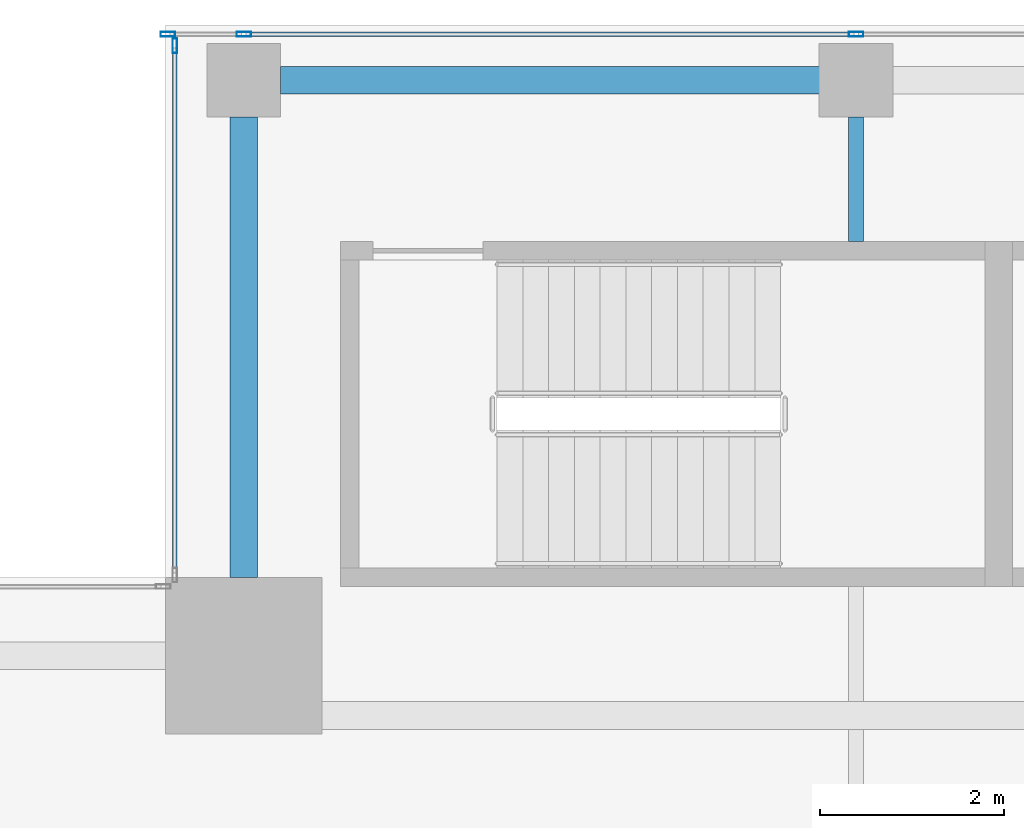
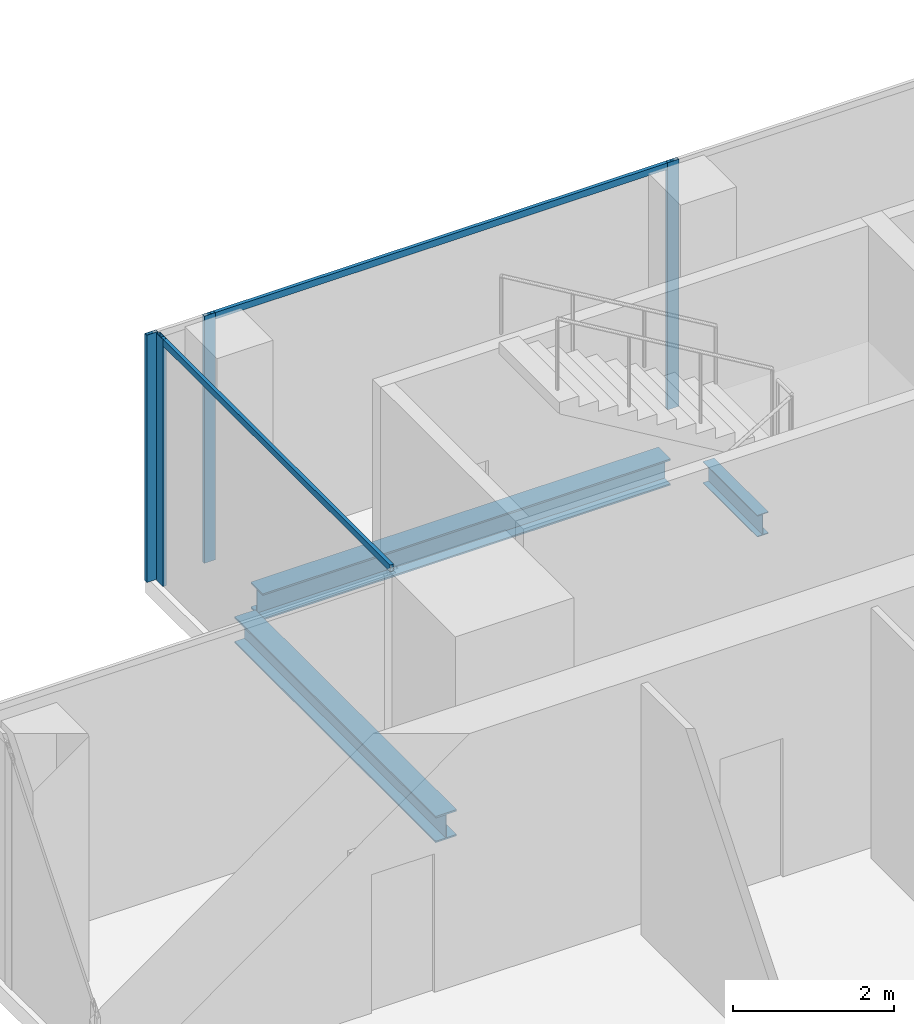
# One storey, part 12 of 28: 6 members, 3 beams, 2 elements without a shape of their own.
"""IFC4 building model written with IfcOpenShell, lengths in metres."""

import ifcopenshell
import ifcopenshell.guid

model = None  # the IFC model being written
_history = None  # IfcOwnerHistory: only IFC2X3 demands one
_inside = {}  # id of a spatial element -> (the spatial element, [elements in it])
_under = {}  # id of a project, library or spatial element -> (it, [spatial elements below it])
_declared = {}  # id of a project -> (the project, [libraries it declares])
_typed = {}  # id of a type object -> (the type object, [elements of that type])
_made_of = {}  # id of a material, layer set ... -> (it, [elements and type objects made of it])


def new_model(schema):
    """Start an empty IFC model of exactly this schema.

    Asked for "IFC4X3", IfcOpenShell would pick the latest addendum, in which some entities
    have other attributes; the version numbers below select the first issue.
    IFC2X3 requires an IfcOwnerHistory on every rooted entity: one is made here for all.
    """
    global model, _history
    if schema == "IFC4X3":
        model = ifcopenshell.file(schema_version=(4, 3, 0, 0))
    else:
        model = ifcopenshell.file(schema=schema)
    _inside.clear()
    _under.clear()
    _declared.clear()
    _typed.clear()
    _made_of.clear()
    _history = None
    if model.schema == "IFC2X3":
        org = make("IfcOrganization", Name="unknown")
        user = make(
            "IfcPersonAndOrganization",
            ThePerson=make("IfcPerson", FamilyName="unknown"),
            TheOrganization=org,
        )
        app = make(
            "IfcApplication",
            ApplicationDeveloper=org,
            Version="unknown",
            ApplicationFullName="unknown",
            ApplicationIdentifier="unknown",
        )
        _history = make(
            "IfcOwnerHistory",
            OwningUser=user,
            OwningApplication=app,
            ChangeAction="ADDED",
            CreationDate=0,
        )
    return model


def make(cls, **values):
    """One entity of the class cls with the attributes given. An attribute that is None is left unset."""
    return model.create_entity(
        cls, **{name: value for name, value in values.items() if value is not None}
    )


def rooted(cls, **values):
    """An entity with a GlobalId (a new one), such as an element, a storey or a relation."""
    return make(cls, GlobalId=ifcopenshell.guid.new(), OwnerHistory=_history, **values)


def si_unit(unit_type, name, prefix=None):
    """IfcSIUnit, for example si_unit("LENGTHUNIT", "METRE", prefix="MILLI")."""
    return make("IfcSIUnit", UnitType=unit_type, Prefix=prefix, Name=name)


def assignment(units):
    """IfcUnitAssignment: the units of a project."""
    return None if units is None else make("IfcUnitAssignment", Units=units)


def point(xyz):
    """IfcCartesianPoint."""
    return None if xyz is None else make("IfcCartesianPoint", Coordinates=xyz)


def direction(xyz):
    """IfcDirection."""
    return None if xyz is None else make("IfcDirection", DirectionRatios=xyz)


def frame(location, z_axis=None, x_axis=None):
    """IfcAxis2Placement3D, a coordinate frame: its origin and axes. An axis left out is left unset."""
    return make(
        "IfcAxis2Placement3D",
        Location=point(location),
        Axis=direction(z_axis),
        RefDirection=direction(x_axis),
    )


def frame_2d(location, x_axis=None):
    """IfcAxis2Placement2D, a coordinate frame in the plane: its origin and x axis."""
    return make(
        "IfcAxis2Placement2D", Location=point(location), RefDirection=direction(x_axis)
    )


def origin():
    """The frame at (0, 0, 0) with its axes left unset."""
    return frame((0.0, 0.0, 0.0))


def origin_2d():
    """The frame at (0, 0) in the plane with its x axis left unset."""
    return frame_2d((0.0, 0.0))


def place(relative_to, where):
    """IfcLocalPlacement: puts the frame where relative to a parent placement (None: the world)."""
    return make(
        "IfcLocalPlacement", PlacementRelTo=relative_to, RelativePlacement=where
    )


def context(
    kind, dimensions, precision=None, world=None, true_north=None, identifier=None
):
    """IfcGeometricRepresentationContext, for example the 3D "Model" context."""
    return make(
        "IfcGeometricRepresentationContext",
        ContextIdentifier=identifier,
        ContextType=kind,
        CoordinateSpaceDimension=dimensions,
        Precision=precision,
        WorldCoordinateSystem=world,
        TrueNorth=true_north,
    )


def subcontext(parent, identifier, kind, view, scale=None):
    """IfcGeometricRepresentationSubContext, for example "Body" below "Model"."""
    return make(
        "IfcGeometricRepresentationSubContext",
        ContextIdentifier=identifier,
        ContextType=kind,
        ParentContext=parent,
        TargetScale=scale,
        TargetView=view,
    )


def project(units=None, contexts=None):
    """IfcProject with its units and contexts."""
    return rooted(
        "IfcProject",
        Name="project",
        RepresentationContexts=contexts,
        UnitsInContext=assignment(units),
    )


def spatial(cls, under=None, at=None, **own):
    """A site, building, storey or space (cls), placed at a placement, below another one or the project."""
    s = rooted(cls, ObjectPlacement=at, **own)
    if under is not None:
        _under.setdefault(under.id(), (under, []))[1].append(s)
    return s


def profile(cls, at=None, kind="AREA", **sizes):
    """A parametric profile (cls). Its sizes go by their IFC names, for example OverallWidth=200.0."""
    return make(cls, ProfileType=kind, Position=at, **sizes)


def hollow_rectangle(**sizes):
    """IfcRectangleHollowProfileDef."""
    return profile("IfcRectangleHollowProfileDef", **sizes)


def i_section(**sizes):
    """IfcIShapeProfileDef."""
    return profile("IfcIShapeProfileDef", **sizes)


def extrude(swept, where, along, depth):
    """IfcExtrudedAreaSolid: the profile swept, set in the frame where, extruded along a direction by depth."""
    return make(
        "IfcExtrudedAreaSolid",
        SweptArea=swept,
        Position=where,
        ExtrudedDirection=direction(along),
        Depth=depth,
    )


def shape(context_of_items, identifier, shape_type, items):
    """IfcShapeRepresentation: the items that make up one representation, for example the "Body"."""
    return make(
        "IfcShapeRepresentation",
        ContextOfItems=context_of_items,
        RepresentationIdentifier=identifier,
        RepresentationType=shape_type,
        Items=items,
    )


def source(mapping_origin, context_of_items, identifier, shape_type, items):
    """IfcRepresentationMap: a shape defined once, which mapped items show again and again."""
    return make(
        "IfcRepresentationMap",
        MappingOrigin=mapping_origin,
        MappedRepresentation=shape(context_of_items, identifier, shape_type, items),
    )


def transform(
    local_origin,
    x_axis=None,
    y_axis=None,
    z_axis=None,
    scale=None,
    scale2=None,
    scale3=None,
    uniform=True,
):
    """IfcCartesianTransformationOperator3D, or its non-uniform kind. x_axis, y_axis, z_axis: its Axis1, 2, 3."""
    if uniform:
        return make(
            "IfcCartesianTransformationOperator3D",
            Axis1=direction(x_axis),
            Axis2=direction(y_axis),
            LocalOrigin=point(local_origin),
            Scale=scale,
            Axis3=direction(z_axis),
        )
    return make(
        "IfcCartesianTransformationOperator3DnonUniform",
        Axis1=direction(x_axis),
        Axis2=direction(y_axis),
        LocalOrigin=point(local_origin),
        Scale=scale,
        Axis3=direction(z_axis),
        Scale2=scale2,
        Scale3=scale3,
    )


def mapped(mapping_source, mapping_target):
    """IfcMappedItem: shows the shape of a source again, moved by a transform."""
    return make(
        "IfcMappedItem", MappingSource=mapping_source, MappingTarget=mapping_target
    )


def material(Name=None, Category=None):
    """IfcMaterial."""
    return make("IfcMaterial", Name=Name, Category=Category)


def material_profile(
    of_material, cross_section, Name=None, Category=None, Priority=None
):
    """IfcMaterialProfile: a cross section and its material."""
    return make(
        "IfcMaterialProfile",
        Name=Name,
        Material=of_material,
        Profile=cross_section,
        Priority=Priority,
        Category=Category,
    )


def profile_set(profiles, Name=None, composite=None):
    """IfcMaterialProfileSet."""
    return make(
        "IfcMaterialProfileSet",
        Name=Name,
        MaterialProfiles=profiles,
        CompositeProfile=composite,
    )


def made_of(thing, what):
    """Note that an element or type object is made of a material, layer set ...; save() writes the relation."""
    if what is not None:
        _made_of.setdefault(what.id(), (what, []))[1].append(thing)
    return thing


def type_object(cls, material=None, **own):
    """A type object (cls), such as IfcWallType, which elements share."""
    return made_of(rooted(cls, **own), material)


def element(
    cls,
    number,
    at=None,
    inside=None,
    cuts=None,
    type_object=None,
    material=None,
    context=None,
    identifier="Body",
    shape_type=None,
    held_by="IfcProductDefinitionShape",
    body=None,
    shapes=None,
    **own,
):
    """One element of the class cls, such as IfcWall. Its Tag is "e" and its number.

    at: its placement. inside: the storey or other place that contains it. cuts: it is an
    opening in that element (IfcRelVoidsElement). A single representation is given by context,
    identifier, shape_type and body (its items); several are given by shapes. held_by: the class
    of the entity that holds the representations. save() writes the other relations.
    """
    e = rooted(cls, Tag="e%d" % number, ObjectPlacement=at, **own)
    if body is not None:
        shapes = [shape(context, identifier, shape_type, body)]
    if shapes is not None:
        e.Representation = make(held_by, Representations=shapes)
    if inside is not None:
        _inside.setdefault(inside.id(), (inside, []))[1].append(e)
    if cuts is not None:
        rooted(
            "IfcRelVoidsElement", RelatingBuildingElement=cuts, RelatedOpeningElement=e
        )
    if type_object is not None:
        _typed.setdefault(type_object.id(), (type_object, []))[1].append(e)
    return made_of(e, material)


def aggregate(whole, parts):
    """IfcRelAggregates: a whole, such as a stair, and the parts it consists of."""
    return rooted("IfcRelAggregates", RelatingObject=whole, RelatedObjects=parts)


def save(model, path):
    """Write the relations noted so far, then the file.

    IfcRelAggregates (storeys below a building ...), IfcRelContainedInSpatialStructure (elements
    in a storey), IfcRelDefinesByType, IfcRelAssociatesMaterial and IfcRelDeclares: one each for
    every whole, place, type object, material and project.
    """
    for whole, parts in _under.values():
        aggregate(whole, parts)
    for where, things in _inside.values():
        rooted(
            "IfcRelContainedInSpatialStructure",
            RelatedElements=things,
            RelatingStructure=where,
        )
    for kind, things in _typed.values():
        rooted("IfcRelDefinesByType", RelatedObjects=things, RelatingType=kind)
    for what, things in _made_of.values():
        rooted("IfcRelAssociatesMaterial", RelatedObjects=things, RelatingMaterial=what)
    for by, libraries in _declared.values():
        rooted("IfcRelDeclares", RelatingContext=by, RelatedDefinitions=libraries)
    model.write(path)


model = new_model("IFC4")

# Units and contexts
model_context = context("Model", 3, precision=1e-05, world=origin(), true_north=direction((0.0, 1.0)))
body_context = subcontext(model_context, "Body", "Model", "MODEL_VIEW")
ifc_project = project(units=[si_unit("LENGTHUNIT", "METRE"), si_unit("AREAUNIT", "SQUARE_METRE"), si_unit("VOLUMEUNIT", "CUBIC_METRE"), si_unit("PLANEANGLEUNIT", "RADIAN"), si_unit("MASSUNIT", "GRAM", prefix="KILO")], contexts=[model_context])

# Site, building, storey
site_placement = place(None, origin())
site = spatial("IfcSite", under=ifc_project, at=site_placement, CompositionType="ELEMENT")
building_placement = place(site_placement, origin())
building = spatial("IfcBuilding", under=site, at=building_placement, Name="Khomas Fold Tower", CompositionType="ELEMENT")
storey_placement = place(building_placement, frame((0.0, 0.0, 298.199951171875)))
storey = spatial("IfcBuildingStorey", under=building, at=storey_placement, Name="L67", CompositionType="ELEMENT", Elevation=298.199951171875)

# Beams
ifc_material_1 = material(Name="Steel S355", Category="steel")
ifc_material_profile_1 = material_profile(ifc_material_1, i_section(OverallWidth=0.159912109375, OverallDepth=0.330078125, WebThickness=0.007568359375, FlangeThickness=0.011474609375, at=origin_2d()), Name="IPE 330")
ifc_profile_set_1 = profile_set([ifc_material_profile_1], Name="Steel S355")
beam_type_1 = type_object("IfcBeamType", Name="IPE 330 beam JB1", PredefinedType="BEAM", material=ifc_profile_set_1)
shared_shape_1 = source(origin(), body_context, "Body", "SweptSolid", [
    extrude(i_section(OverallWidth=0.159912109375, OverallDepth=0.330078125, WebThickness=0.007568359375, FlangeThickness=0.011474609375, at=origin_2d()), origin(), (0.0, 0.0, 1.0), 1.35009765625),
])
beam_1_placement = place(storey_placement, frame((19.5, 45.64990234375, -0.4150390625), z_axis=(0.0, 1.0, 0.0), x_axis=(-1.0, 0.0, 0.0)))
element("IfcBeam", 1, at=beam_1_placement, inside=storey, type_object=beam_type_1, Name="JB1", PredefinedType="BEAM", context=body_context, shape_type="MappedRepresentation", body=[
    mapped(shared_shape_1, transform((0.0, 0.0, 0.0))),
])
ifc_material_2 = material(Name="Steel S355", Category="steel")
ifc_material_profile_2 = material_profile(ifc_material_2, i_section(OverallWidth=0.300048828125, OverallDepth=0.39990234375, WebThickness=0.013427734375, FlangeThickness=0.02392578125, at=origin_2d()), Name="HE 400 B")
ifc_profile_set_2 = profile_set([ifc_material_profile_2], Name="Steel S355")
beam_type_2 = type_object("IfcBeamType", Name="HE 400 B spandrel SB5", PredefinedType="SPANDREL", material=ifc_profile_set_2)
shared_shape_2 = source(origin(), body_context, "Body", "SweptSolid", [
    extrude(i_section(OverallWidth=0.300048828125, OverallDepth=0.39990234375, WebThickness=0.013427734375, FlangeThickness=0.02392578125, at=origin_2d()), origin(), (0.0, 0.0, 1.0), 5.85009765625),
])
beam_2_placement = place(storey_placement, frame((13.25, 47.39990234375, -0.449951171875), z_axis=(1.0, 0.0, 0.0), x_axis=(0.0, 1.0, 0.0)))
element("IfcBeam", 2, at=beam_2_placement, inside=storey, type_object=beam_type_2, Name="SB5", PredefinedType="SPANDREL", context=body_context, shape_type="MappedRepresentation", body=[
    mapped(shared_shape_2, transform((0.0, 0.0, 0.0))),
])
shared_shape_3 = source(origin(), body_context, "Body", "SweptSolid", [
    extrude(i_section(OverallWidth=0.300048828125, OverallDepth=0.39990234375, WebThickness=0.013427734375, FlangeThickness=0.02392578125, at=origin_2d()), origin(), (0.0, 0.0, 1.0), 5.0),
])
beam_3_placement = place(storey_placement, frame((12.85009765625, 42.0, -0.449951171875), z_axis=(0.0, 1.0, 0.0), x_axis=(-1.0, 0.0, 0.0)))
element("IfcBeam", 3, at=beam_3_placement, inside=storey, type_object=beam_type_2, Name="SB5", PredefinedType="SPANDREL", context=body_context, shape_type="MappedRepresentation", body=[
    mapped(shared_shape_3, transform((0.0, 0.0, 0.0))),
])

# Curtain wall, members
ifc_material_3 = material(Name="Aluminium framed double glazing", Category="aluminium")
curtain_wall_type = type_object("IfcCurtainWallType", Name="SK-Unitised clear-glass wall, upper floors CW3", PredefinedType="NOTDEFINED", material=ifc_material_3)
curtain_wall_1_placement = place(storey_placement, origin())
curtain_wall_1 = element("IfcCurtainWall", 4, at=curtain_wall_1_placement, inside=storey, type_object=curtain_wall_type, Name="CW3 run L67 06-1", PredefinedType="NOTDEFINED")
ifc_material_4 = material(Name="Aluminium", Category="aluminium")
ifc_material_profile_3 = material_profile(ifc_material_4, hollow_rectangle(XDim=0.050048828125, YDim=0.159912109375, WallThickness=0.00390625, at=origin_2d()), Name="SK-Unitised clear-glass wall, upper floors mullion CW3-M")
ifc_profile_set_3 = profile_set([ifc_material_profile_3], Name="Aluminium")
member_type_1 = type_object("IfcMemberType", Name="SK-Unitised clear-glass wall, upper floors mullion CW3-M", PredefinedType="MULLION", material=ifc_profile_set_3)
shared_shape_4 = source(origin(), body_context, "Body", "SweptSolid", [
    extrude(hollow_rectangle(XDim=0.050048828125, YDim=0.159912109375, WallThickness=0.00390625, at=origin_2d()), origin(), (0.0, 0.0, 1.0), 3.75),
])
member_1_placement = place(storey_placement, frame((19.5, 47.89990234375, 0.0), z_axis=(0.0, 0.0, 1.0), x_axis=(0.0, -1.0, 0.0)))
member_1 = element("IfcMember", 5, at=member_1_placement, type_object=member_type_1, Name="CW3 mullion 4", PredefinedType="MULLION", context=body_context, shape_type="MappedRepresentation", body=[
    mapped(shared_shape_4, transform((0.0, 0.0, 0.0))),
])
member_2_placement = place(storey_placement, frame((12.85009765625, 47.89990234375, 0.0), z_axis=(0.0, 0.0, 1.0), x_axis=(0.0, -1.0, 0.0)))
member_2 = element("IfcMember", 6, at=member_2_placement, type_object=member_type_1, Name="CW3 mullion 5", PredefinedType="MULLION", context=body_context, shape_type="MappedRepresentation", body=[
    mapped(shared_shape_4, transform((0.0, 0.0, 0.0))),
])
member_3_placement = place(storey_placement, frame((12.02490234375, 47.89990234375, 0.0), z_axis=(0.0, 0.0, 1.0), x_axis=(0.0, -1.0, 0.0)))
member_3 = element("IfcMember", 7, at=member_3_placement, type_object=member_type_1, Name="CW3 mullion 6", PredefinedType="MULLION", context=body_context, shape_type="MappedRepresentation", body=[
    mapped(shared_shape_4, transform((0.0, 0.0, 0.0))),
])

# Curtain wall, member
curtain_wall_2_placement = place(storey_placement, origin())
curtain_wall_2 = element("IfcCurtainWall", 8, at=curtain_wall_2_placement, inside=storey, type_object=curtain_wall_type, Name="CW3 corner return L67 07", PredefinedType="NOTDEFINED")
member_4_placement = place(storey_placement, frame((12.10009765625, 47.77490234375, 0.0), z_axis=(0.0, 0.0, 1.0), x_axis=(1.0, 0.0, 0.0)))
member_4 = element("IfcMember", 9, at=member_4_placement, type_object=member_type_1, Name="CW3 mullion 1", PredefinedType="MULLION", context=body_context, shape_type="MappedRepresentation", body=[
    mapped(shared_shape_4, transform((0.0, 0.0, 0.0))),
])

# Member
ifc_material_5 = material(Name="Aluminium", Category="aluminium")
ifc_material_profile_4 = material_profile(ifc_material_5, hollow_rectangle(XDim=0.050048828125, YDim=0.10009765625, WallThickness=0.00390625, at=origin_2d()), Name="SK-Unitised clear-glass wall, upper floors transom CW3-T")
ifc_profile_set_4 = profile_set([ifc_material_profile_4], Name="Aluminium")
member_type_2 = type_object("IfcMemberType", Name="SK-Unitised clear-glass wall, upper floors transom CW3-T", PredefinedType="USERDEFINED", material=ifc_profile_set_4)
shared_shape_5 = source(origin(), body_context, "Body", "SweptSolid", [
    extrude(hollow_rectangle(XDim=0.050048828125, YDim=0.10009765625, WallThickness=0.00390625, at=origin_2d()), origin(), (0.0, 0.0, 1.0), 6.60009765625),
])
member_5_placement = place(storey_placement, frame((19.47509765625, 47.89990234375, 3.699951171875), z_axis=(-1.0, 0.0, 0.0), x_axis=(0.0, -1.0, 0.0)))
member_5 = element("IfcMember", 10, at=member_5_placement, type_object=member_type_2, Name="CW3 transom 4", ObjectType="TRANSOM", PredefinedType="USERDEFINED", context=body_context, shape_type="MappedRepresentation", body=[
    mapped(shared_shape_5, transform((0.0, 0.0, 0.0))),
])

aggregate(curtain_wall_1, [member_1, member_2, member_3, member_5])

shared_shape_6 = source(origin(), body_context, "Body", "SweptSolid", [
    extrude(hollow_rectangle(XDim=0.050048828125, YDim=0.10009765625, WallThickness=0.00390625, at=origin_2d()), origin(), (0.0, 0.0, 1.0), 5.699951171875),
])
member_6_placement = place(storey_placement, frame((12.10009765625, 47.75, 3.699951171875), z_axis=(0.0, -1.0, 0.0), x_axis=(1.0, 0.0, 0.0)))
member_6 = element("IfcMember", 11, at=member_6_placement, type_object=member_type_2, Name="CW3 transom 1", ObjectType="TRANSOM", PredefinedType="USERDEFINED", context=body_context, shape_type="MappedRepresentation", body=[
    mapped(shared_shape_6, transform((0.0, 0.0, 0.0))),
])

aggregate(curtain_wall_2, [member_4, member_6])

save(model, "model.ifc")
